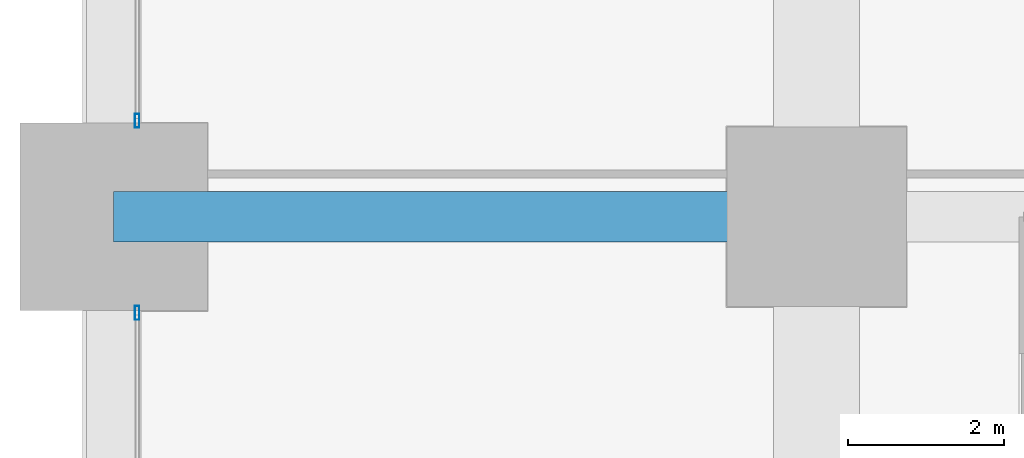
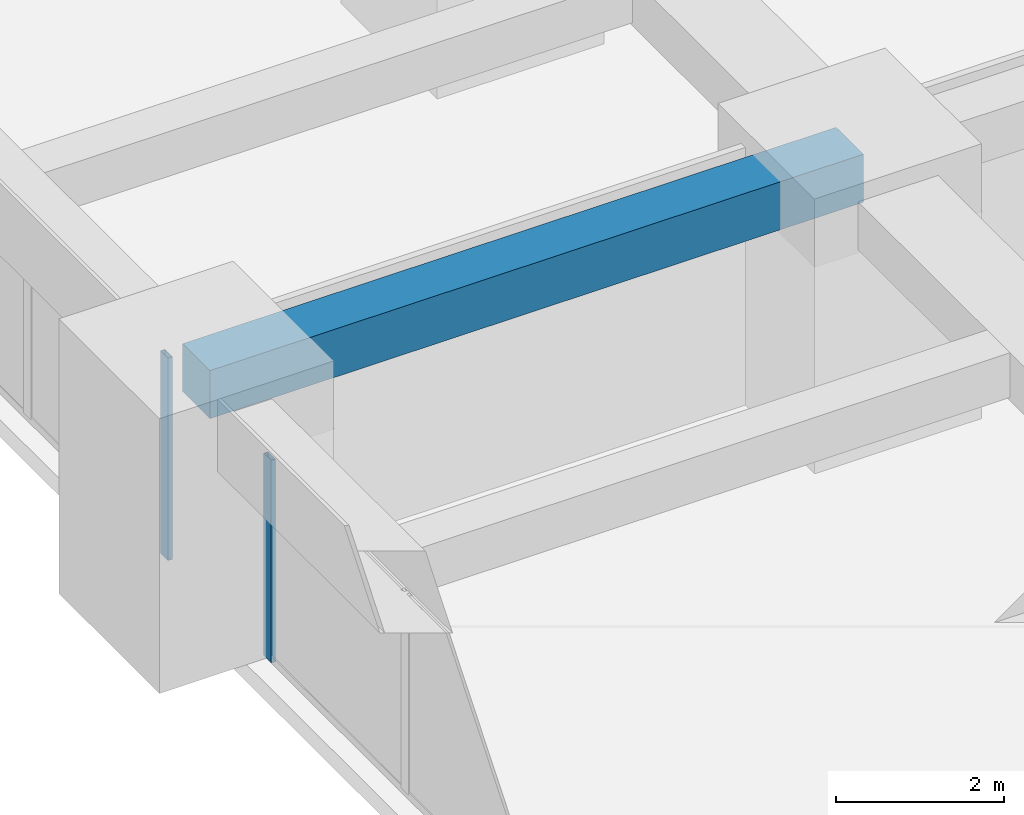
# One storey, part 23 of 44: 2 members, 1 beam, 2 elements without a shape of their own.
"""IFC4 building model written with IfcOpenShell, lengths in metres."""

from ifc_helpers import new_model, si_unit, direction, frame, origin, origin_2d, place, context, subcontext, project, spatial, rectangle, hollow_rectangle, extrude, material, material_profile, profile_set, type_object, element, aggregate, save


model = new_model("IFC4")

# Units and contexts
model_context = context("Model", 3, precision=1e-05, world=origin(), true_north=direction((0.0, 1.0)))
body_context = subcontext(model_context, "Body", "Model", "MODEL_VIEW")
ifc_project = project(units=[si_unit("LENGTHUNIT", "METRE"), si_unit("AREAUNIT", "SQUARE_METRE"), si_unit("VOLUMEUNIT", "CUBIC_METRE"), si_unit("PLANEANGLEUNIT", "RADIAN"), si_unit("MASSUNIT", "GRAM", prefix="KILO")], contexts=[model_context])

# Site, building, storey
site_placement = place(None, origin())
site = spatial("IfcSite", under=ifc_project, at=site_placement, CompositionType="ELEMENT")
building_placement = place(site_placement, origin())
building = spatial("IfcBuilding", under=site, at=building_placement, Name="Zorevar Civic Tower", CompositionType="ELEMENT")
storey_placement = place(building_placement, frame((0.0, 0.0, 43.800048828125)))
storey = spatial("IfcBuildingStorey", under=building, at=storey_placement, Name="L10", CompositionType="ELEMENT", Elevation=43.800048828125)

# Beam
ifc_material_1 = material(Name="Concrete C50/60", Category="concrete")
ifc_material_profile_1 = material_profile(ifc_material_1, rectangle(XDim=0.64990234375, YDim=0.699951171875, at=origin_2d()), Name="RC 650x700")
ifc_profile_set_1 = profile_set([ifc_material_profile_1], Name="Concrete C50/60")
beam_type = type_object("IfcBeamType", Name="Beam RC 650x700", PredefinedType="BEAM", material=ifc_profile_set_1)
beam_placement = place(storey_placement, frame((0.0, 36.0, 3.39990234375), z_axis=(1.0, 0.0, 0.0), x_axis=(0.0, 1.0, 0.0)))
element("IfcBeam", 1, at=beam_placement, inside=storey, type_object=beam_type, Name="Girder L11", PredefinedType="BEAM", context=body_context, shape_type="SweptSolid", body=[
    extrude(rectangle(XDim=0.64990234375, YDim=0.699951171875, at=origin_2d()), origin(), (0.0, 0.0, 1.0), 9.0),
])

# Curtain wall, member
ifc_material_2 = material(Name="Dark grey solar-control glass in black aluminium frame", Category="aluminium")
curtain_wall_type = type_object("IfcCurtainWallType", Name="Curtain wall CW2 low zone", PredefinedType="NOTDEFINED", material=ifc_material_2)
curtain_wall_1_placement = place(storey_placement, origin())
curtain_wall_1 = element("IfcCurtainWall", 2, at=curtain_wall_1_placement, inside=storey, type_object=curtain_wall_type, Name="CW2 L10", PredefinedType="NOTDEFINED")
ifc_material_3 = material(Name="Aluminium, black anodised", Category="aluminium")
ifc_material_profile_2 = material_profile(ifc_material_3, hollow_rectangle(XDim=0.06005859375, YDim=0.179931640625, WallThickness=0.00390625, at=origin_2d()), Name="AL 180x60x4")
ifc_profile_set_2 = profile_set([ifc_material_profile_2], Name="Aluminium, black anodised")
member_type = type_object("IfcMemberType", Name="CW2 mullion AL 180x60x4", PredefinedType="MULLION", material=ifc_profile_set_2)
member_1_placement = place(storey_placement, frame((0.300048828125, 34.77001953125, 0.0), z_axis=(0.0, 0.0, 1.0), x_axis=(-1.0, 0.0, 0.0)))
member_1 = element("IfcMember", 3, at=member_1_placement, type_object=member_type, Name="CW2 mullion 3", PredefinedType="MULLION", context=body_context, shape_type="SweptSolid", body=[
    extrude(hollow_rectangle(XDim=0.06005859375, YDim=0.179931640625, WallThickness=0.00390625, at=origin_2d()), origin(), (0.0, 0.0, 1.0), 2.949951171875),
])
aggregate(curtain_wall_1, [member_1])

curtain_wall_2_placement = place(storey_placement, origin())
curtain_wall_2 = element("IfcCurtainWall", 4, at=curtain_wall_2_placement, inside=storey, type_object=curtain_wall_type, Name="CW2 L10", PredefinedType="NOTDEFINED")
member_2_placement = place(storey_placement, frame((0.300048828125, 37.22998046875, 0.0), z_axis=(0.0, 0.0, 1.0), x_axis=(-1.0, 0.0, 0.0)))
member_2 = element("IfcMember", 5, at=member_2_placement, type_object=member_type, Name="CW2 mullion 1", PredefinedType="MULLION", context=body_context, shape_type="SweptSolid", body=[
    extrude(hollow_rectangle(XDim=0.06005859375, YDim=0.179931640625, WallThickness=0.00390625, at=origin_2d()), origin(), (0.0, 0.0, 1.0), 2.949951171875),
])
aggregate(curtain_wall_2, [member_2])

save(model, "model.ifc")
